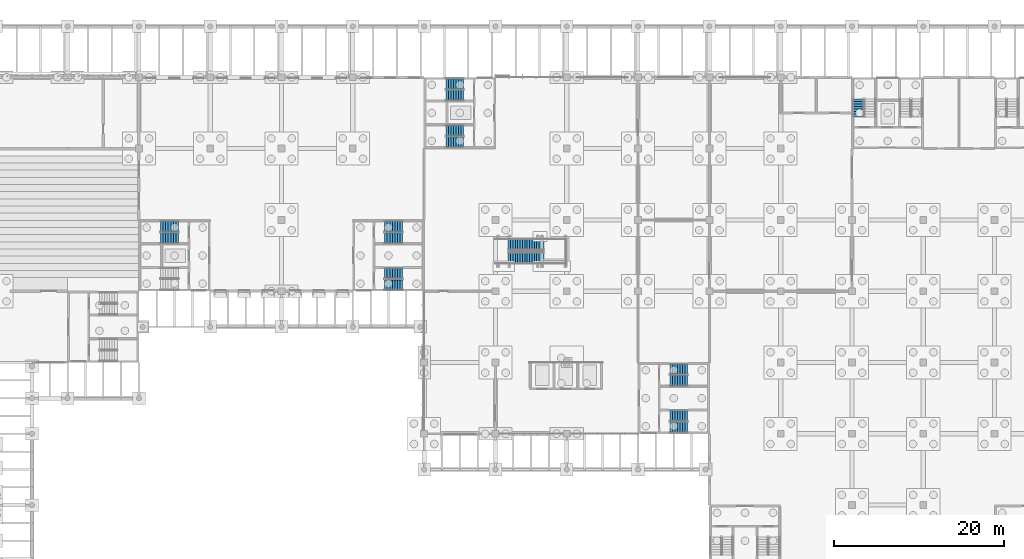
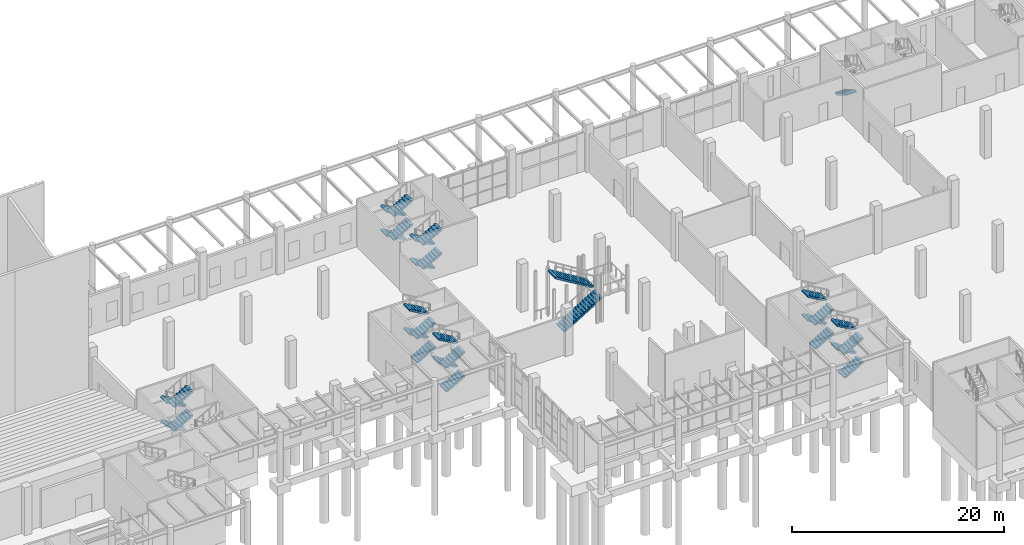
# One storey, part 46 of 82: 31 stair flights, 9 elements without a shape of their own.
"""IFC4 building model written with IfcOpenShell, lengths in metres."""

from ifc_helpers import new_model, si_unit, direction, frame, origin, place, context, subcontext, project, spatial, polyline, outline, extrude, material, type_object, element, aggregate, save


model = new_model("IFC4")

# Units and contexts
model_context = context("Model", 3, precision=1e-05, world=origin(), true_north=direction((0.0, 1.0)))
body_context = subcontext(model_context, "Body", "Model", "MODEL_VIEW")
ifc_project = project(units=[si_unit("LENGTHUNIT", "METRE"), si_unit("AREAUNIT", "SQUARE_METRE"), si_unit("VOLUMEUNIT", "CUBIC_METRE"), si_unit("PLANEANGLEUNIT", "RADIAN"), si_unit("MASSUNIT", "GRAM", prefix="KILO")], contexts=[model_context])

# Site, building, storey
site_placement = place(None, origin())
site = spatial("IfcSite", under=ifc_project, at=site_placement, CompositionType="ELEMENT")
building_placement = place(site_placement, origin())
building = spatial("IfcBuilding", under=site, at=building_placement, Name="Almond Square Museum", CompositionType="ELEMENT")
storey_placement = place(building_placement, origin())
storey = spatial("IfcBuildingStorey", under=building, at=storey_placement, Name="L00", CompositionType="ELEMENT", Elevation=0.0)

# Stair, stair flight
ifc_material_1 = material(Name="Concrete C40/50", Category="concrete")
stair_type_1 = type_object("IfcStairType", Name="Exit stair 32 risers of 172 mm", PredefinedType="HALF_TURN_STAIR", material=ifc_material_1)
stair_1_placement = place(storey_placement, origin())
stair_1 = element("IfcStair", 1, at=stair_1_placement, inside=storey, type_object=stair_type_1, Name="L00 stair H4-1", PredefinedType="HALF_TURN_STAIR")
ifc_material_2 = material(Name="Concrete C40/50", Category="concrete")
stair_flight_type_1 = type_object("IfcStairFlightType", Name="Concrete flight", PredefinedType="STRAIGHT", material=ifc_material_2)
stair_flight_1_placement = place(storey_placement, frame((124.375, 106.64990234375, 1.375), z_axis=(0.0, 0.0, 1.0), x_axis=(0.0, -1.0, 0.0)))
stair_flight_1 = element("IfcStairFlight", 2, at=stair_flight_1_placement, type_object=stair_flight_type_1, Name="ST-07 flight 2", NumberOfRisers=8, NumberOfTreads=7, PredefinedType="STRAIGHT", RiserHeight=0.171875, TreadLength=0.3, context=body_context, shape_type="SweptSolid", body=[
    extrude(outline(polyline([(0.0, 0.0), (0.0, 0.171875), (0.300048828125, 0.171875), (0.300048828125, 0.34375), (0.60009765625, 0.34375), (0.60009765625, 0.515625), (0.89990234375, 0.515625), (0.89990234375, 0.6875), (1.199951171875, 0.6875), (1.199951171875, 0.859375), (1.5, 0.859375), (1.5, 1.03125), (1.800048828125, 1.03125), (1.800048828125, 1.203125), (2.10009765625, 1.203125), (2.10009765625, 1.375), (2.10009765625, 1.0302734375), (0.301513671875, 0.0), (0.0, 0.0)])), frame((0.0, 0.574951171875, 0.0), z_axis=(0.0, -1.0, 0.0), x_axis=(1.0, 0.0, 0.0)), (0.0, 0.0, 1.0), 1.14990234375),
])
aggregate(stair_1, [stair_flight_1])

# Stair, stair flights
stair_2_placement = place(storey_placement, origin())
stair_2 = element("IfcStair", 3, at=stair_2_placement, inside=storey, type_object=stair_type_1, Name="L00 stair A1-1", PredefinedType="HALF_TURN_STAIR")
stair_flight_2_placement = place(storey_placement, frame((77.85009765625, 102.925048828125, 0.0), z_axis=(0.0, 0.0, 1.0), x_axis=(-1.0, 0.0, 0.0)))
stair_flight_2 = element("IfcStairFlight", 4, at=stair_flight_2_placement, type_object=stair_flight_type_1, Name="ST-09 flight 1", NumberOfRisers=8, NumberOfTreads=7, PredefinedType="STRAIGHT", RiserHeight=0.171875, TreadLength=0.3, context=body_context, shape_type="SweptSolid", body=[
    extrude(outline(polyline([(0.0, 0.0), (0.0, 0.171875), (0.300048828125, 0.171875), (0.300048828125, 0.34375), (0.60009765625, 0.34375), (0.60009765625, 0.515625), (0.89990234375, 0.515625), (0.89990234375, 0.6875), (1.199951171875, 0.6875), (1.199951171875, 0.859375), (1.5, 0.859375), (1.5, 1.03125), (1.800048828125, 1.03125), (1.800048828125, 1.203125), (2.10009765625, 1.203125), (2.10009765625, 1.375), (2.10009765625, 1.0302734375), (0.301513671875, 0.0), (0.0, 0.0)])), frame((0.0, 0.574951171875, 0.0), z_axis=(0.0, -1.0, 0.0), x_axis=(1.0, 0.0, 0.0)), (0.0, 0.0, 1.0), 1.14990234375),
])
stair_flight_3_placement = place(storey_placement, frame((75.75, 101.574951171875, 1.375), z_axis=(0.0, 0.0, 1.0), x_axis=(1.0, 0.0, 0.0)))
stair_flight_3 = element("IfcStairFlight", 5, at=stair_flight_3_placement, type_object=stair_flight_type_1, Name="ST-09 flight 2", NumberOfRisers=8, NumberOfTreads=7, PredefinedType="STRAIGHT", RiserHeight=0.171875, TreadLength=0.3, context=body_context, shape_type="SweptSolid", body=[
    extrude(outline(polyline([(0.0, 0.0), (0.0, 0.171875), (0.300048828125, 0.171875), (0.300048828125, 0.34375), (0.60009765625, 0.34375), (0.60009765625, 0.515625), (0.89990234375, 0.515625), (0.89990234375, 0.6875), (1.199951171875, 0.6875), (1.199951171875, 0.859375), (1.5, 0.859375), (1.5, 1.03125), (1.800048828125, 1.03125), (1.800048828125, 1.203125), (2.10009765625, 1.203125), (2.10009765625, 1.375), (2.10009765625, 1.0302734375), (0.301513671875, 0.0), (0.0, 0.0)])), frame((0.0, 0.574951171875, 0.0), z_axis=(0.0, -1.0, 0.0), x_axis=(1.0, 0.0, 0.0)), (0.0, 0.0, 1.0), 1.14990234375),
])
stair_flight_4_placement = place(storey_placement, frame((77.85009765625, 102.925048828125, 2.75), z_axis=(0.0, 0.0, 1.0), x_axis=(-1.0, 0.0, 0.0)))
stair_flight_4 = element("IfcStairFlight", 6, at=stair_flight_4_placement, type_object=stair_flight_type_1, Name="ST-09 flight 3", NumberOfRisers=8, NumberOfTreads=7, PredefinedType="STRAIGHT", RiserHeight=0.171875, TreadLength=0.3, context=body_context, shape_type="SweptSolid", body=[
    extrude(outline(polyline([(0.0, 0.0), (0.0, 0.171875), (0.300048828125, 0.171875), (0.300048828125, 0.34375), (0.60009765625, 0.34375), (0.60009765625, 0.515625), (0.89990234375, 0.515625), (0.89990234375, 0.6875), (1.199951171875, 0.6875), (1.199951171875, 0.859375), (1.5, 0.859375), (1.5, 1.03125), (1.800048828125, 1.03125), (1.800048828125, 1.203125), (2.10009765625, 1.203125), (2.10009765625, 1.375), (2.10009765625, 1.0302734375), (0.301513671875, 0.0), (0.0, 0.0)])), frame((0.0, 0.574951171875, 0.0), z_axis=(0.0, -1.0, 0.0), x_axis=(1.0, 0.0, 0.0)), (0.0, 0.0, 1.0), 1.14990234375),
])
stair_flight_5_placement = place(storey_placement, frame((75.75, 101.574951171875, 4.125), z_axis=(0.0, 0.0, 1.0), x_axis=(1.0, 0.0, 0.0)))
stair_flight_5 = element("IfcStairFlight", 7, at=stair_flight_5_placement, type_object=stair_flight_type_1, Name="ST-09 flight 4", NumberOfRisers=8, NumberOfTreads=7, PredefinedType="STRAIGHT", RiserHeight=0.171875, TreadLength=0.3, context=body_context, shape_type="SweptSolid", body=[
    extrude(outline(polyline([(0.0, 0.0), (0.0, 0.171875), (0.300048828125, 0.171875), (0.300048828125, 0.34375), (0.60009765625, 0.34375), (0.60009765625, 0.515625), (0.89990234375, 0.515625), (0.89990234375, 0.6875), (1.199951171875, 0.6875), (1.199951171875, 0.859375), (1.5, 0.859375), (1.5, 1.03125), (1.800048828125, 1.03125), (1.800048828125, 1.203125), (2.10009765625, 1.203125), (2.10009765625, 1.375), (2.10009765625, 1.0302734375), (0.301513671875, 0.0), (0.0, 0.0)])), frame((0.0, 0.574951171875, 0.0), z_axis=(0.0, -1.0, 0.0), x_axis=(1.0, 0.0, 0.0)), (0.0, 0.0, 1.0), 1.14990234375),
])
aggregate(stair_2, [stair_flight_2, stair_flight_3, stair_flight_4, stair_flight_5])

stair_3_placement = place(storey_placement, origin())
stair_3 = element("IfcStair", 8, at=stair_3_placement, inside=storey, type_object=stair_type_1, Name="L00 stair A1-2", PredefinedType="HALF_TURN_STAIR")
stair_flight_6_placement = place(storey_placement, frame((77.85009765625, 108.425048828125, 0.0), z_axis=(0.0, 0.0, 1.0), x_axis=(-1.0, 0.0, 0.0)))
stair_flight_6 = element("IfcStairFlight", 9, at=stair_flight_6_placement, type_object=stair_flight_type_1, Name="ST-10 flight 1", NumberOfRisers=8, NumberOfTreads=7, PredefinedType="STRAIGHT", RiserHeight=0.171875, TreadLength=0.3, context=body_context, shape_type="SweptSolid", body=[
    extrude(outline(polyline([(0.0, 0.0), (0.0, 0.171875), (0.300048828125, 0.171875), (0.300048828125, 0.34375), (0.60009765625, 0.34375), (0.60009765625, 0.515625), (0.89990234375, 0.515625), (0.89990234375, 0.6875), (1.199951171875, 0.6875), (1.199951171875, 0.859375), (1.5, 0.859375), (1.5, 1.03125), (1.800048828125, 1.03125), (1.800048828125, 1.203125), (2.10009765625, 1.203125), (2.10009765625, 1.375), (2.10009765625, 1.0302734375), (0.301513671875, 0.0), (0.0, 0.0)])), frame((0.0, 0.574951171875, 0.0), z_axis=(0.0, -1.0, 0.0), x_axis=(1.0, 0.0, 0.0)), (0.0, 0.0, 1.0), 1.14990234375),
])
stair_flight_7_placement = place(storey_placement, frame((75.75, 107.074951171875, 1.375), z_axis=(0.0, 0.0, 1.0), x_axis=(1.0, 0.0, 0.0)))
stair_flight_7 = element("IfcStairFlight", 10, at=stair_flight_7_placement, type_object=stair_flight_type_1, Name="ST-10 flight 2", NumberOfRisers=8, NumberOfTreads=7, PredefinedType="STRAIGHT", RiserHeight=0.171875, TreadLength=0.3, context=body_context, shape_type="SweptSolid", body=[
    extrude(outline(polyline([(0.0, 0.0), (0.0, 0.171875), (0.300048828125, 0.171875), (0.300048828125, 0.34375), (0.60009765625, 0.34375), (0.60009765625, 0.515625), (0.89990234375, 0.515625), (0.89990234375, 0.6875), (1.199951171875, 0.6875), (1.199951171875, 0.859375), (1.5, 0.859375), (1.5, 1.03125), (1.800048828125, 1.03125), (1.800048828125, 1.203125), (2.10009765625, 1.203125), (2.10009765625, 1.375), (2.10009765625, 1.0302734375), (0.301513671875, 0.0), (0.0, 0.0)])), frame((0.0, 0.574951171875, 0.0), z_axis=(0.0, -1.0, 0.0), x_axis=(1.0, 0.0, 0.0)), (0.0, 0.0, 1.0), 1.14990234375),
])
stair_flight_8_placement = place(storey_placement, frame((77.85009765625, 108.425048828125, 2.75), z_axis=(0.0, 0.0, 1.0), x_axis=(-1.0, 0.0, 0.0)))
stair_flight_8 = element("IfcStairFlight", 11, at=stair_flight_8_placement, type_object=stair_flight_type_1, Name="ST-10 flight 3", NumberOfRisers=8, NumberOfTreads=7, PredefinedType="STRAIGHT", RiserHeight=0.171875, TreadLength=0.3, context=body_context, shape_type="SweptSolid", body=[
    extrude(outline(polyline([(0.0, 0.0), (0.0, 0.171875), (0.300048828125, 0.171875), (0.300048828125, 0.34375), (0.60009765625, 0.34375), (0.60009765625, 0.515625), (0.89990234375, 0.515625), (0.89990234375, 0.6875), (1.199951171875, 0.6875), (1.199951171875, 0.859375), (1.5, 0.859375), (1.5, 1.03125), (1.800048828125, 1.03125), (1.800048828125, 1.203125), (2.10009765625, 1.203125), (2.10009765625, 1.375), (2.10009765625, 1.0302734375), (0.301513671875, 0.0), (0.0, 0.0)])), frame((0.0, 0.574951171875, 0.0), z_axis=(0.0, -1.0, 0.0), x_axis=(1.0, 0.0, 0.0)), (0.0, 0.0, 1.0), 1.14990234375),
])
stair_flight_9_placement = place(storey_placement, frame((75.75, 107.074951171875, 4.125), z_axis=(0.0, 0.0, 1.0), x_axis=(1.0, 0.0, 0.0)))
stair_flight_9 = element("IfcStairFlight", 12, at=stair_flight_9_placement, type_object=stair_flight_type_1, Name="ST-10 flight 4", NumberOfRisers=8, NumberOfTreads=7, PredefinedType="STRAIGHT", RiserHeight=0.171875, TreadLength=0.3, context=body_context, shape_type="SweptSolid", body=[
    extrude(outline(polyline([(0.0, 0.0), (0.0, 0.171875), (0.300048828125, 0.171875), (0.300048828125, 0.34375), (0.60009765625, 0.34375), (0.60009765625, 0.515625), (0.89990234375, 0.515625), (0.89990234375, 0.6875), (1.199951171875, 0.6875), (1.199951171875, 0.859375), (1.5, 0.859375), (1.5, 1.03125), (1.800048828125, 1.03125), (1.800048828125, 1.203125), (2.10009765625, 1.203125), (2.10009765625, 1.375), (2.10009765625, 1.0302734375), (0.301513671875, 0.0), (0.0, 0.0)])), frame((0.0, 0.574951171875, 0.0), z_axis=(0.0, -1.0, 0.0), x_axis=(1.0, 0.0, 0.0)), (0.0, 0.0, 1.0), 1.14990234375),
])
aggregate(stair_3, [stair_flight_6, stair_flight_7, stair_flight_8, stair_flight_9])

stair_4_placement = place(storey_placement, origin())
stair_4 = element("IfcStair", 13, at=stair_4_placement, inside=storey, type_object=stair_type_1, Name="L00 stair A2-1", PredefinedType="HALF_TURN_STAIR")
stair_flight_10_placement = place(storey_placement, frame((102.14990234375, 67.97509765625, 0.0), z_axis=(0.0, 0.0, 1.0), x_axis=(1.0, 0.0, 0.0)))
stair_flight_10 = element("IfcStairFlight", 14, at=stair_flight_10_placement, type_object=stair_flight_type_1, Name="ST-11 flight 1", NumberOfRisers=8, NumberOfTreads=7, PredefinedType="STRAIGHT", RiserHeight=0.171875, TreadLength=0.3, context=body_context, shape_type="SweptSolid", body=[
    extrude(outline(polyline([(0.0, 0.0), (0.0, 0.171875), (0.300048828125, 0.171875), (0.300048828125, 0.34375), (0.60009765625, 0.34375), (0.60009765625, 0.515625), (0.89990234375, 0.515625), (0.89990234375, 0.6875), (1.199951171875, 0.6875), (1.199951171875, 0.859375), (1.5, 0.859375), (1.5, 1.03125), (1.800048828125, 1.03125), (1.800048828125, 1.203125), (2.10009765625, 1.203125), (2.10009765625, 1.375), (2.10009765625, 1.0302734375), (0.301513671875, 0.0), (0.0, 0.0)])), frame((0.0, 0.574951171875, 0.0), z_axis=(0.0, -1.0, 0.0), x_axis=(1.0, 0.0, 0.0)), (0.0, 0.0, 1.0), 1.14990234375),
])
stair_flight_11_placement = place(storey_placement, frame((104.25, 69.324951171875, 1.375), z_axis=(0.0, 0.0, 1.0), x_axis=(-1.0, 0.0, 0.0)))
stair_flight_11 = element("IfcStairFlight", 15, at=stair_flight_11_placement, type_object=stair_flight_type_1, Name="ST-11 flight 2", NumberOfRisers=8, NumberOfTreads=7, PredefinedType="STRAIGHT", RiserHeight=0.171875, TreadLength=0.3, context=body_context, shape_type="SweptSolid", body=[
    extrude(outline(polyline([(0.0, 0.0), (0.0, 0.171875), (0.300048828125, 0.171875), (0.300048828125, 0.34375), (0.60009765625, 0.34375), (0.60009765625, 0.515625), (0.89990234375, 0.515625), (0.89990234375, 0.6875), (1.199951171875, 0.6875), (1.199951171875, 0.859375), (1.5, 0.859375), (1.5, 1.03125), (1.800048828125, 1.03125), (1.800048828125, 1.203125), (2.10009765625, 1.203125), (2.10009765625, 1.375), (2.10009765625, 1.0302734375), (0.301513671875, 0.0), (0.0, 0.0)])), frame((0.0, 0.574951171875, 0.0), z_axis=(0.0, -1.0, 0.0), x_axis=(1.0, 0.0, 0.0)), (0.0, 0.0, 1.0), 1.14990234375),
])
stair_flight_12_placement = place(storey_placement, frame((102.14990234375, 67.97509765625, 2.75), z_axis=(0.0, 0.0, 1.0), x_axis=(1.0, 0.0, 0.0)))
stair_flight_12 = element("IfcStairFlight", 16, at=stair_flight_12_placement, type_object=stair_flight_type_1, Name="ST-11 flight 3", NumberOfRisers=8, NumberOfTreads=7, PredefinedType="STRAIGHT", RiserHeight=0.171875, TreadLength=0.3, context=body_context, shape_type="SweptSolid", body=[
    extrude(outline(polyline([(0.0, 0.0), (0.0, 0.171875), (0.300048828125, 0.171875), (0.300048828125, 0.34375), (0.60009765625, 0.34375), (0.60009765625, 0.515625), (0.89990234375, 0.515625), (0.89990234375, 0.6875), (1.199951171875, 0.6875), (1.199951171875, 0.859375), (1.5, 0.859375), (1.5, 1.03125), (1.800048828125, 1.03125), (1.800048828125, 1.203125), (2.10009765625, 1.203125), (2.10009765625, 1.375), (2.10009765625, 1.0302734375), (0.301513671875, 0.0), (0.0, 0.0)])), frame((0.0, 0.574951171875, 0.0), z_axis=(0.0, -1.0, 0.0), x_axis=(1.0, 0.0, 0.0)), (0.0, 0.0, 1.0), 1.14990234375),
])
stair_flight_13_placement = place(storey_placement, frame((104.25, 69.324951171875, 4.125), z_axis=(0.0, 0.0, 1.0), x_axis=(-1.0, 0.0, 0.0)))
stair_flight_13 = element("IfcStairFlight", 17, at=stair_flight_13_placement, type_object=stair_flight_type_1, Name="ST-11 flight 4", NumberOfRisers=8, NumberOfTreads=7, PredefinedType="STRAIGHT", RiserHeight=0.171875, TreadLength=0.3, context=body_context, shape_type="SweptSolid", body=[
    extrude(outline(polyline([(0.0, 0.0), (0.0, 0.171875), (0.300048828125, 0.171875), (0.300048828125, 0.34375), (0.60009765625, 0.34375), (0.60009765625, 0.515625), (0.89990234375, 0.515625), (0.89990234375, 0.6875), (1.199951171875, 0.6875), (1.199951171875, 0.859375), (1.5, 0.859375), (1.5, 1.03125), (1.800048828125, 1.03125), (1.800048828125, 1.203125), (2.10009765625, 1.203125), (2.10009765625, 1.375), (2.10009765625, 1.0302734375), (0.301513671875, 0.0), (0.0, 0.0)])), frame((0.0, 0.574951171875, 0.0), z_axis=(0.0, -1.0, 0.0), x_axis=(1.0, 0.0, 0.0)), (0.0, 0.0, 1.0), 1.14990234375),
])
aggregate(stair_4, [stair_flight_10, stair_flight_11, stair_flight_12, stair_flight_13])

stair_5_placement = place(storey_placement, origin())
stair_5 = element("IfcStair", 18, at=stair_5_placement, inside=storey, type_object=stair_type_1, Name="L00 stair A2-2", PredefinedType="HALF_TURN_STAIR")
stair_flight_14_placement = place(storey_placement, frame((102.14990234375, 73.47509765625, 0.0), z_axis=(0.0, 0.0, 1.0), x_axis=(1.0, 0.0, 0.0)))
stair_flight_14 = element("IfcStairFlight", 19, at=stair_flight_14_placement, type_object=stair_flight_type_1, Name="ST-12 flight 1", NumberOfRisers=8, NumberOfTreads=7, PredefinedType="STRAIGHT", RiserHeight=0.171875, TreadLength=0.3, context=body_context, shape_type="SweptSolid", body=[
    extrude(outline(polyline([(0.0, 0.0), (0.0, 0.171875), (0.300048828125, 0.171875), (0.300048828125, 0.34375), (0.60009765625, 0.34375), (0.60009765625, 0.515625), (0.89990234375, 0.515625), (0.89990234375, 0.6875), (1.199951171875, 0.6875), (1.199951171875, 0.859375), (1.5, 0.859375), (1.5, 1.03125), (1.800048828125, 1.03125), (1.800048828125, 1.203125), (2.10009765625, 1.203125), (2.10009765625, 1.375), (2.10009765625, 1.0302734375), (0.301513671875, 0.0), (0.0, 0.0)])), frame((0.0, 0.574951171875, 0.0), z_axis=(0.0, -1.0, 0.0), x_axis=(1.0, 0.0, 0.0)), (0.0, 0.0, 1.0), 1.14990234375),
])
stair_flight_15_placement = place(storey_placement, frame((104.25, 74.824951171875, 1.375), z_axis=(0.0, 0.0, 1.0), x_axis=(-1.0, 0.0, 0.0)))
stair_flight_15 = element("IfcStairFlight", 20, at=stair_flight_15_placement, type_object=stair_flight_type_1, Name="ST-12 flight 2", NumberOfRisers=8, NumberOfTreads=7, PredefinedType="STRAIGHT", RiserHeight=0.171875, TreadLength=0.3, context=body_context, shape_type="SweptSolid", body=[
    extrude(outline(polyline([(0.0, 0.0), (0.0, 0.171875), (0.300048828125, 0.171875), (0.300048828125, 0.34375), (0.60009765625, 0.34375), (0.60009765625, 0.515625), (0.89990234375, 0.515625), (0.89990234375, 0.6875), (1.199951171875, 0.6875), (1.199951171875, 0.859375), (1.5, 0.859375), (1.5, 1.03125), (1.800048828125, 1.03125), (1.800048828125, 1.203125), (2.10009765625, 1.203125), (2.10009765625, 1.375), (2.10009765625, 1.0302734375), (0.301513671875, 0.0), (0.0, 0.0)])), frame((0.0, 0.574951171875, 0.0), z_axis=(0.0, -1.0, 0.0), x_axis=(1.0, 0.0, 0.0)), (0.0, 0.0, 1.0), 1.14990234375),
])
stair_flight_16_placement = place(storey_placement, frame((102.14990234375, 73.47509765625, 2.75), z_axis=(0.0, 0.0, 1.0), x_axis=(1.0, 0.0, 0.0)))
stair_flight_16 = element("IfcStairFlight", 21, at=stair_flight_16_placement, type_object=stair_flight_type_1, Name="ST-12 flight 3", NumberOfRisers=8, NumberOfTreads=7, PredefinedType="STRAIGHT", RiserHeight=0.171875, TreadLength=0.3, context=body_context, shape_type="SweptSolid", body=[
    extrude(outline(polyline([(0.0, 0.0), (0.0, 0.171875), (0.300048828125, 0.171875), (0.300048828125, 0.34375), (0.60009765625, 0.34375), (0.60009765625, 0.515625), (0.89990234375, 0.515625), (0.89990234375, 0.6875), (1.199951171875, 0.6875), (1.199951171875, 0.859375), (1.5, 0.859375), (1.5, 1.03125), (1.800048828125, 1.03125), (1.800048828125, 1.203125), (2.10009765625, 1.203125), (2.10009765625, 1.375), (2.10009765625, 1.0302734375), (0.301513671875, 0.0), (0.0, 0.0)])), frame((0.0, 0.574951171875, 0.0), z_axis=(0.0, -1.0, 0.0), x_axis=(1.0, 0.0, 0.0)), (0.0, 0.0, 1.0), 1.14990234375),
])
stair_flight_17_placement = place(storey_placement, frame((104.25, 74.824951171875, 4.125), z_axis=(0.0, 0.0, 1.0), x_axis=(-1.0, 0.0, 0.0)))
stair_flight_17 = element("IfcStairFlight", 22, at=stair_flight_17_placement, type_object=stair_flight_type_1, Name="ST-12 flight 4", NumberOfRisers=8, NumberOfTreads=7, PredefinedType="STRAIGHT", RiserHeight=0.171875, TreadLength=0.3, context=body_context, shape_type="SweptSolid", body=[
    extrude(outline(polyline([(0.0, 0.0), (0.0, 0.171875), (0.300048828125, 0.171875), (0.300048828125, 0.34375), (0.60009765625, 0.34375), (0.60009765625, 0.515625), (0.89990234375, 0.515625), (0.89990234375, 0.6875), (1.199951171875, 0.6875), (1.199951171875, 0.859375), (1.5, 0.859375), (1.5, 1.03125), (1.800048828125, 1.03125), (1.800048828125, 1.203125), (2.10009765625, 1.203125), (2.10009765625, 1.375), (2.10009765625, 1.0302734375), (0.301513671875, 0.0), (0.0, 0.0)])), frame((0.0, 0.574951171875, 0.0), z_axis=(0.0, -1.0, 0.0), x_axis=(1.0, 0.0, 0.0)), (0.0, 0.0, 1.0), 1.14990234375),
])
aggregate(stair_5, [stair_flight_14, stair_flight_15, stair_flight_16, stair_flight_17])

stair_6_placement = place(storey_placement, origin())
stair_6 = element("IfcStair", 23, at=stair_6_placement, inside=storey, type_object=stair_type_1, Name="L00 stair N1-2", PredefinedType="HALF_TURN_STAIR")
stair_flight_18_placement = place(storey_placement, frame((44.25, 91.625, 0.0), z_axis=(0.0, 0.0, 1.0), x_axis=(-1.0, 0.0, 0.0)))
stair_flight_18 = element("IfcStairFlight", 24, at=stair_flight_18_placement, type_object=stair_flight_type_1, Name="ST-18 flight 1", NumberOfRisers=8, NumberOfTreads=7, PredefinedType="STRAIGHT", RiserHeight=0.171875, TreadLength=0.3, context=body_context, shape_type="SweptSolid", body=[
    extrude(outline(polyline([(0.0, 0.0), (0.0, 0.171875), (0.300048828125, 0.171875), (0.300048828125, 0.34375), (0.60009765625, 0.34375), (0.60009765625, 0.515625), (0.89990234375, 0.515625), (0.89990234375, 0.6875), (1.199951171875, 0.6875), (1.199951171875, 0.859375), (1.5, 0.859375), (1.5, 1.03125), (1.800048828125, 1.03125), (1.800048828125, 1.203125), (2.10009765625, 1.203125), (2.10009765625, 1.375), (2.10009765625, 1.0302734375), (0.301513671875, 0.0), (0.0, 0.0)])), frame((0.0, 0.574951171875, 0.0), z_axis=(0.0, -1.0, 0.0), x_axis=(1.0, 0.0, 0.0)), (0.0, 0.0, 1.0), 1.14990234375),
])
stair_flight_19_placement = place(storey_placement, frame((42.14990234375, 90.27490234375, 1.375), z_axis=(0.0, 0.0, 1.0), x_axis=(1.0, 0.0, 0.0)))
stair_flight_19 = element("IfcStairFlight", 25, at=stair_flight_19_placement, type_object=stair_flight_type_1, Name="ST-18 flight 2", NumberOfRisers=8, NumberOfTreads=7, PredefinedType="STRAIGHT", RiserHeight=0.171875, TreadLength=0.3, context=body_context, shape_type="SweptSolid", body=[
    extrude(outline(polyline([(0.0, 0.0), (0.0, 0.171875), (0.300048828125, 0.171875), (0.300048828125, 0.34375), (0.60009765625, 0.34375), (0.60009765625, 0.515625), (0.89990234375, 0.515625), (0.89990234375, 0.6875), (1.199951171875, 0.6875), (1.199951171875, 0.859375), (1.5, 0.859375), (1.5, 1.03125), (1.800048828125, 1.03125), (1.800048828125, 1.203125), (2.10009765625, 1.203125), (2.10009765625, 1.375), (2.10009765625, 1.0302734375), (0.301513671875, 0.0), (0.0, 0.0)])), frame((0.0, 0.574951171875, 0.0), z_axis=(0.0, -1.0, 0.0), x_axis=(1.0, 0.0, 0.0)), (0.0, 0.0, 1.0), 1.14990234375),
])
stair_flight_20_placement = place(storey_placement, frame((44.25, 91.625, 2.75), z_axis=(0.0, 0.0, 1.0), x_axis=(-1.0, 0.0, 0.0)))
stair_flight_20 = element("IfcStairFlight", 26, at=stair_flight_20_placement, type_object=stair_flight_type_1, Name="ST-18 flight 3", NumberOfRisers=8, NumberOfTreads=7, PredefinedType="STRAIGHT", RiserHeight=0.171875, TreadLength=0.3, context=body_context, shape_type="SweptSolid", body=[
    extrude(outline(polyline([(0.0, 0.0), (0.0, 0.171875), (0.300048828125, 0.171875), (0.300048828125, 0.34375), (0.60009765625, 0.34375), (0.60009765625, 0.515625), (0.89990234375, 0.515625), (0.89990234375, 0.6875), (1.199951171875, 0.6875), (1.199951171875, 0.859375), (1.5, 0.859375), (1.5, 1.03125), (1.800048828125, 1.03125), (1.800048828125, 1.203125), (2.10009765625, 1.203125), (2.10009765625, 1.375), (2.10009765625, 1.0302734375), (0.301513671875, 0.0), (0.0, 0.0)])), frame((0.0, 0.574951171875, 0.0), z_axis=(0.0, -1.0, 0.0), x_axis=(1.0, 0.0, 0.0)), (0.0, 0.0, 1.0), 1.14990234375),
])
stair_flight_21_placement = place(storey_placement, frame((42.14990234375, 90.27490234375, 4.125), z_axis=(0.0, 0.0, 1.0), x_axis=(1.0, 0.0, 0.0)))
stair_flight_21 = element("IfcStairFlight", 27, at=stair_flight_21_placement, type_object=stair_flight_type_1, Name="ST-18 flight 4", NumberOfRisers=8, NumberOfTreads=7, PredefinedType="STRAIGHT", RiserHeight=0.171875, TreadLength=0.3, context=body_context, shape_type="SweptSolid", body=[
    extrude(outline(polyline([(0.0, 0.0), (0.0, 0.171875), (0.300048828125, 0.171875), (0.300048828125, 0.34375), (0.60009765625, 0.34375), (0.60009765625, 0.515625), (0.89990234375, 0.515625), (0.89990234375, 0.6875), (1.199951171875, 0.6875), (1.199951171875, 0.859375), (1.5, 0.859375), (1.5, 1.03125), (1.800048828125, 1.03125), (1.800048828125, 1.203125), (2.10009765625, 1.203125), (2.10009765625, 1.375), (2.10009765625, 1.0302734375), (0.301513671875, 0.0), (0.0, 0.0)])), frame((0.0, 0.574951171875, 0.0), z_axis=(0.0, -1.0, 0.0), x_axis=(1.0, 0.0, 0.0)), (0.0, 0.0, 1.0), 1.14990234375),
])
aggregate(stair_6, [stair_flight_18, stair_flight_19, stair_flight_20, stair_flight_21])

stair_7_placement = place(storey_placement, origin())
stair_7 = element("IfcStair", 28, at=stair_7_placement, inside=storey, type_object=stair_type_1, Name="L00 stair N2-1", PredefinedType="HALF_TURN_STAIR")
stair_flight_22_placement = place(storey_placement, frame((68.550048828125, 84.77490234375, 0.0), z_axis=(0.0, 0.0, 1.0), x_axis=(1.0, 0.0, 0.0)))
stair_flight_22 = element("IfcStairFlight", 29, at=stair_flight_22_placement, type_object=stair_flight_type_1, Name="ST-19 flight 1", NumberOfRisers=8, NumberOfTreads=7, PredefinedType="STRAIGHT", RiserHeight=0.171875, TreadLength=0.3, context=body_context, shape_type="SweptSolid", body=[
    extrude(outline(polyline([(0.0, 0.0), (0.0, 0.171875), (0.300048828125, 0.171875), (0.300048828125, 0.34375), (0.60009765625, 0.34375), (0.60009765625, 0.515625), (0.89990234375, 0.515625), (0.89990234375, 0.6875), (1.199951171875, 0.6875), (1.199951171875, 0.859375), (1.5, 0.859375), (1.5, 1.03125), (1.800048828125, 1.03125), (1.800048828125, 1.203125), (2.10009765625, 1.203125), (2.10009765625, 1.375), (2.10009765625, 1.0302734375), (0.301513671875, 0.0), (0.0, 0.0)])), frame((0.0, 0.574951171875, 0.0), z_axis=(0.0, -1.0, 0.0), x_axis=(1.0, 0.0, 0.0)), (0.0, 0.0, 1.0), 1.14990234375),
])
stair_flight_23_placement = place(storey_placement, frame((70.64990234375, 86.125, 1.375), z_axis=(0.0, 0.0, 1.0), x_axis=(-1.0, 0.0, 0.0)))
stair_flight_23 = element("IfcStairFlight", 30, at=stair_flight_23_placement, type_object=stair_flight_type_1, Name="ST-19 flight 2", NumberOfRisers=8, NumberOfTreads=7, PredefinedType="STRAIGHT", RiserHeight=0.171875, TreadLength=0.3, context=body_context, shape_type="SweptSolid", body=[
    extrude(outline(polyline([(0.0, 0.0), (0.0, 0.171875), (0.300048828125, 0.171875), (0.300048828125, 0.34375), (0.60009765625, 0.34375), (0.60009765625, 0.515625), (0.89990234375, 0.515625), (0.89990234375, 0.6875), (1.199951171875, 0.6875), (1.199951171875, 0.859375), (1.5, 0.859375), (1.5, 1.03125), (1.800048828125, 1.03125), (1.800048828125, 1.203125), (2.10009765625, 1.203125), (2.10009765625, 1.375), (2.10009765625, 1.0302734375), (0.301513671875, 0.0), (0.0, 0.0)])), frame((0.0, 0.574951171875, 0.0), z_axis=(0.0, -1.0, 0.0), x_axis=(1.0, 0.0, 0.0)), (0.0, 0.0, 1.0), 1.14990234375),
])
stair_flight_24_placement = place(storey_placement, frame((68.550048828125, 84.77490234375, 2.75), z_axis=(0.0, 0.0, 1.0), x_axis=(1.0, 0.0, 0.0)))
stair_flight_24 = element("IfcStairFlight", 31, at=stair_flight_24_placement, type_object=stair_flight_type_1, Name="ST-19 flight 3", NumberOfRisers=8, NumberOfTreads=7, PredefinedType="STRAIGHT", RiserHeight=0.171875, TreadLength=0.3, context=body_context, shape_type="SweptSolid", body=[
    extrude(outline(polyline([(0.0, 0.0), (0.0, 0.171875), (0.300048828125, 0.171875), (0.300048828125, 0.34375), (0.60009765625, 0.34375), (0.60009765625, 0.515625), (0.89990234375, 0.515625), (0.89990234375, 0.6875), (1.199951171875, 0.6875), (1.199951171875, 0.859375), (1.5, 0.859375), (1.5, 1.03125), (1.800048828125, 1.03125), (1.800048828125, 1.203125), (2.10009765625, 1.203125), (2.10009765625, 1.375), (2.10009765625, 1.0302734375), (0.301513671875, 0.0), (0.0, 0.0)])), frame((0.0, 0.574951171875, 0.0), z_axis=(0.0, -1.0, 0.0), x_axis=(1.0, 0.0, 0.0)), (0.0, 0.0, 1.0), 1.14990234375),
])
stair_flight_25_placement = place(storey_placement, frame((70.64990234375, 86.125, 4.125), z_axis=(0.0, 0.0, 1.0), x_axis=(-1.0, 0.0, 0.0)))
stair_flight_25 = element("IfcStairFlight", 32, at=stair_flight_25_placement, type_object=stair_flight_type_1, Name="ST-19 flight 4", NumberOfRisers=8, NumberOfTreads=7, PredefinedType="STRAIGHT", RiserHeight=0.171875, TreadLength=0.3, context=body_context, shape_type="SweptSolid", body=[
    extrude(outline(polyline([(0.0, 0.0), (0.0, 0.171875), (0.300048828125, 0.171875), (0.300048828125, 0.34375), (0.60009765625, 0.34375), (0.60009765625, 0.515625), (0.89990234375, 0.515625), (0.89990234375, 0.6875), (1.199951171875, 0.6875), (1.199951171875, 0.859375), (1.5, 0.859375), (1.5, 1.03125), (1.800048828125, 1.03125), (1.800048828125, 1.203125), (2.10009765625, 1.203125), (2.10009765625, 1.375), (2.10009765625, 1.0302734375), (0.301513671875, 0.0), (0.0, 0.0)])), frame((0.0, 0.574951171875, 0.0), z_axis=(0.0, -1.0, 0.0), x_axis=(1.0, 0.0, 0.0)), (0.0, 0.0, 1.0), 1.14990234375),
])
aggregate(stair_7, [stair_flight_22, stair_flight_23, stair_flight_24, stair_flight_25])

stair_8_placement = place(storey_placement, origin())
stair_8 = element("IfcStair", 33, at=stair_8_placement, inside=storey, type_object=stair_type_1, Name="L00 stair N2-2", PredefinedType="HALF_TURN_STAIR")
stair_flight_26_placement = place(storey_placement, frame((68.550048828125, 90.27490234375, 0.0), z_axis=(0.0, 0.0, 1.0), x_axis=(1.0, 0.0, 0.0)))
stair_flight_26 = element("IfcStairFlight", 34, at=stair_flight_26_placement, type_object=stair_flight_type_1, Name="ST-20 flight 1", NumberOfRisers=8, NumberOfTreads=7, PredefinedType="STRAIGHT", RiserHeight=0.171875, TreadLength=0.3, context=body_context, shape_type="SweptSolid", body=[
    extrude(outline(polyline([(0.0, 0.0), (0.0, 0.171875), (0.300048828125, 0.171875), (0.300048828125, 0.34375), (0.60009765625, 0.34375), (0.60009765625, 0.515625), (0.89990234375, 0.515625), (0.89990234375, 0.6875), (1.199951171875, 0.6875), (1.199951171875, 0.859375), (1.5, 0.859375), (1.5, 1.03125), (1.800048828125, 1.03125), (1.800048828125, 1.203125), (2.10009765625, 1.203125), (2.10009765625, 1.375), (2.10009765625, 1.0302734375), (0.301513671875, 0.0), (0.0, 0.0)])), frame((0.0, 0.574951171875, 0.0), z_axis=(0.0, -1.0, 0.0), x_axis=(1.0, 0.0, 0.0)), (0.0, 0.0, 1.0), 1.14990234375),
])
stair_flight_27_placement = place(storey_placement, frame((70.64990234375, 91.625, 1.375), z_axis=(0.0, 0.0, 1.0), x_axis=(-1.0, 0.0, 0.0)))
stair_flight_27 = element("IfcStairFlight", 35, at=stair_flight_27_placement, type_object=stair_flight_type_1, Name="ST-20 flight 2", NumberOfRisers=8, NumberOfTreads=7, PredefinedType="STRAIGHT", RiserHeight=0.171875, TreadLength=0.3, context=body_context, shape_type="SweptSolid", body=[
    extrude(outline(polyline([(0.0, 0.0), (0.0, 0.171875), (0.300048828125, 0.171875), (0.300048828125, 0.34375), (0.60009765625, 0.34375), (0.60009765625, 0.515625), (0.89990234375, 0.515625), (0.89990234375, 0.6875), (1.199951171875, 0.6875), (1.199951171875, 0.859375), (1.5, 0.859375), (1.5, 1.03125), (1.800048828125, 1.03125), (1.800048828125, 1.203125), (2.10009765625, 1.203125), (2.10009765625, 1.375), (2.10009765625, 1.0302734375), (0.301513671875, 0.0), (0.0, 0.0)])), frame((0.0, 0.574951171875, 0.0), z_axis=(0.0, -1.0, 0.0), x_axis=(1.0, 0.0, 0.0)), (0.0, 0.0, 1.0), 1.14990234375),
])
stair_flight_28_placement = place(storey_placement, frame((68.550048828125, 90.27490234375, 2.75), z_axis=(0.0, 0.0, 1.0), x_axis=(1.0, 0.0, 0.0)))
stair_flight_28 = element("IfcStairFlight", 36, at=stair_flight_28_placement, type_object=stair_flight_type_1, Name="ST-20 flight 3", NumberOfRisers=8, NumberOfTreads=7, PredefinedType="STRAIGHT", RiserHeight=0.171875, TreadLength=0.3, context=body_context, shape_type="SweptSolid", body=[
    extrude(outline(polyline([(0.0, 0.0), (0.0, 0.171875), (0.300048828125, 0.171875), (0.300048828125, 0.34375), (0.60009765625, 0.34375), (0.60009765625, 0.515625), (0.89990234375, 0.515625), (0.89990234375, 0.6875), (1.199951171875, 0.6875), (1.199951171875, 0.859375), (1.5, 0.859375), (1.5, 1.03125), (1.800048828125, 1.03125), (1.800048828125, 1.203125), (2.10009765625, 1.203125), (2.10009765625, 1.375), (2.10009765625, 1.0302734375), (0.301513671875, 0.0), (0.0, 0.0)])), frame((0.0, 0.574951171875, 0.0), z_axis=(0.0, -1.0, 0.0), x_axis=(1.0, 0.0, 0.0)), (0.0, 0.0, 1.0), 1.14990234375),
])
stair_flight_29_placement = place(storey_placement, frame((70.64990234375, 91.625, 4.125), z_axis=(0.0, 0.0, 1.0), x_axis=(-1.0, 0.0, 0.0)))
stair_flight_29 = element("IfcStairFlight", 37, at=stair_flight_29_placement, type_object=stair_flight_type_1, Name="ST-20 flight 4", NumberOfRisers=8, NumberOfTreads=7, PredefinedType="STRAIGHT", RiserHeight=0.171875, TreadLength=0.3, context=body_context, shape_type="SweptSolid", body=[
    extrude(outline(polyline([(0.0, 0.0), (0.0, 0.171875), (0.300048828125, 0.171875), (0.300048828125, 0.34375), (0.60009765625, 0.34375), (0.60009765625, 0.515625), (0.89990234375, 0.515625), (0.89990234375, 0.6875), (1.199951171875, 0.6875), (1.199951171875, 0.859375), (1.5, 0.859375), (1.5, 1.03125), (1.800048828125, 1.03125), (1.800048828125, 1.203125), (2.10009765625, 1.203125), (2.10009765625, 1.375), (2.10009765625, 1.0302734375), (0.301513671875, 0.0), (0.0, 0.0)])), frame((0.0, 0.574951171875, 0.0), z_axis=(0.0, -1.0, 0.0), x_axis=(1.0, 0.0, 0.0)), (0.0, 0.0, 1.0), 1.14990234375),
])
aggregate(stair_8, [stair_flight_26, stair_flight_27, stair_flight_28, stair_flight_29])

ifc_material_3 = material(Name="Concrete C40/50", Category="concrete")
stair_type_2 = type_object("IfcStairType", Name="Feature stair 1400 open flights", PredefinedType="HALF_TURN_STAIR", material=ifc_material_3)
stair_9_placement = place(storey_placement, origin())
stair_9 = element("IfcStair", 38, at=stair_9_placement, inside=storey, type_object=stair_type_2, Name="L00 atrium feature stair", PredefinedType="HALF_TURN_STAIR")
ifc_material_4 = material(Name="Concrete C40/50", Category="concrete")
stair_flight_type_2 = type_object("IfcStairFlightType", Name="Feature stair flight 1400", PredefinedType="STRAIGHT", material=ifc_material_4)
stair_flight_30_placement = place(storey_placement, frame((83.10009765625, 87.89990234375, 0.0), z_axis=(0.0, 0.0, 1.0), x_axis=(1.0, 0.0, 0.0)))
stair_flight_30 = element("IfcStairFlight", 39, at=stair_flight_30_placement, type_object=stair_flight_type_2, Name="ST-F flight 1", NumberOfRisers=16, NumberOfTreads=15, PredefinedType="STRAIGHT", RiserHeight=0.171875, TreadLength=0.28, context=body_context, shape_type="SweptSolid", body=[
    extrude(outline(polyline([(0.0, 0.0), (0.0, 0.171875), (0.280029296875, 0.171875), (0.280029296875, 0.34375), (0.56005859375, 0.34375), (0.56005859375, 0.515625), (0.840087890625, 0.515625), (0.840087890625, 0.6875), (1.1201171875, 0.6875), (1.1201171875, 0.859375), (1.39990234375, 0.859375), (1.39990234375, 1.03125), (1.679931640625, 1.03125), (1.679931640625, 1.203125), (1.9599609375, 1.203125), (1.9599609375, 1.375), (2.239990234375, 1.375), (2.239990234375, 1.546875), (2.52001953125, 1.546875), (2.52001953125, 1.71875), (2.800048828125, 1.71875), (2.800048828125, 1.890625), (3.080078125, 1.890625), (3.080078125, 2.0625), (3.360107421875, 2.0625), (3.360107421875, 2.234375), (3.639892578125, 2.234375), (3.639892578125, 2.40625), (3.919921875, 2.40625), (3.919921875, 2.578125), (4.199951171875, 2.578125), (4.199951171875, 2.75), (4.199951171875, 2.40234375), (0.28662109375, 0.0), (0.0, 0.0)])), frame((0.0, 0.699951171875, 0.0), z_axis=(0.0, -1.0, 0.0), x_axis=(1.0, 0.0, 0.0)), (0.0, 0.0, 1.0), 1.39990234375),
])
stair_flight_31_placement = place(storey_placement, frame((87.300048828125, 89.5, 2.75), z_axis=(0.0, 0.0, 1.0), x_axis=(-1.0, 0.0, 0.0)))
stair_flight_31 = element("IfcStairFlight", 40, at=stair_flight_31_placement, type_object=stair_flight_type_2, Name="ST-F flight 2", NumberOfRisers=16, NumberOfTreads=15, PredefinedType="STRAIGHT", RiserHeight=0.171875, TreadLength=0.28, context=body_context, shape_type="SweptSolid", body=[
    extrude(outline(polyline([(0.0, 0.0), (0.0, 0.171875), (0.280029296875, 0.171875), (0.280029296875, 0.34375), (0.56005859375, 0.34375), (0.56005859375, 0.515625), (0.840087890625, 0.515625), (0.840087890625, 0.6875), (1.1201171875, 0.6875), (1.1201171875, 0.859375), (1.39990234375, 0.859375), (1.39990234375, 1.03125), (1.679931640625, 1.03125), (1.679931640625, 1.203125), (1.9599609375, 1.203125), (1.9599609375, 1.375), (2.239990234375, 1.375), (2.239990234375, 1.546875), (2.52001953125, 1.546875), (2.52001953125, 1.71875), (2.800048828125, 1.71875), (2.800048828125, 1.890625), (3.080078125, 1.890625), (3.080078125, 2.0625), (3.360107421875, 2.0625), (3.360107421875, 2.234375), (3.639892578125, 2.234375), (3.639892578125, 2.40625), (3.919921875, 2.40625), (3.919921875, 2.578125), (4.199951171875, 2.578125), (4.199951171875, 2.75), (4.199951171875, 2.40234375), (0.28662109375, 0.0), (0.0, 0.0)])), frame((0.0, 0.699951171875, 0.0), z_axis=(0.0, -1.0, 0.0), x_axis=(1.0, 0.0, 0.0)), (0.0, 0.0, 1.0), 1.39990234375),
])
aggregate(stair_9, [stair_flight_30, stair_flight_31])

save(model, "model.ifc")
